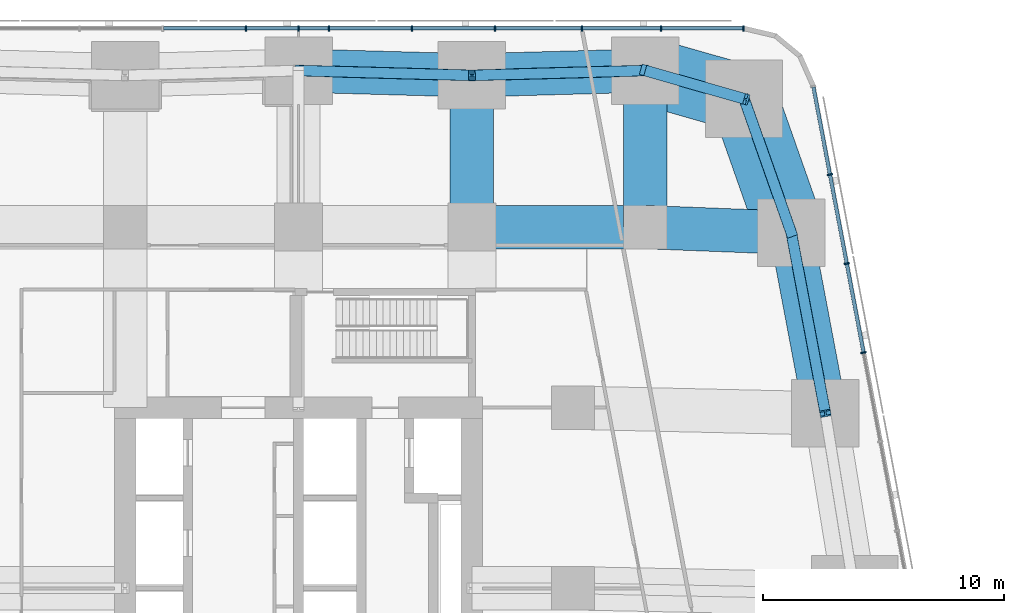
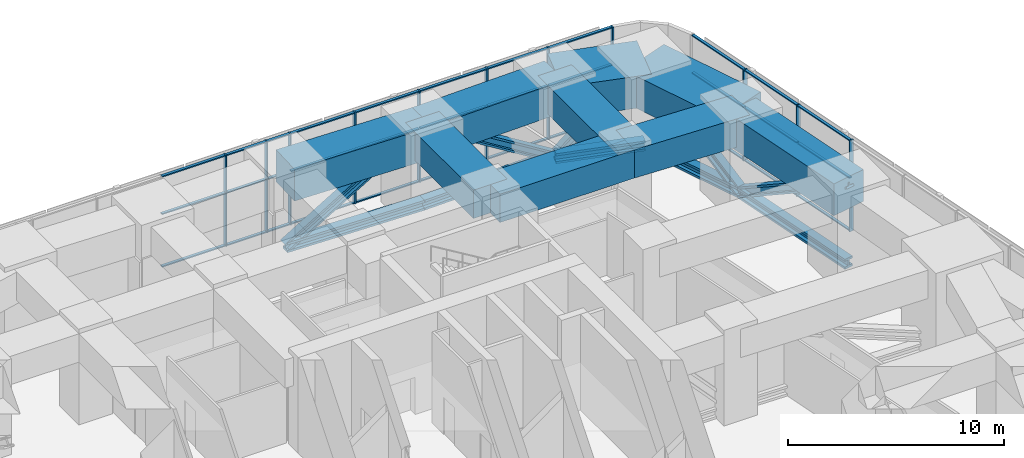
# One storey, part 8 of 20: 54 members, 9 beams, 2 elements without a shape of their own.
"""IFC4 building model written with IfcOpenShell, lengths in metres."""

from ifc_helpers import new_model, si_unit, direction, frame, origin, origin_2d, place, context, subcontext, project, spatial, rectangle, i_section, extrude, material, material_profile, profile_set, type_object, element, aggregate, save


model = new_model("IFC4")

# Units and contexts
model_context = context("Model", 3, precision=1e-05, world=origin(), true_north=direction((0.0, 1.0)))
body_context = subcontext(model_context, "Body", "Model", "MODEL_VIEW")
ifc_project = project(units=[si_unit("LENGTHUNIT", "METRE"), si_unit("AREAUNIT", "SQUARE_METRE"), si_unit("VOLUMEUNIT", "CUBIC_METRE"), si_unit("PLANEANGLEUNIT", "RADIAN"), si_unit("MASSUNIT", "GRAM", prefix="KILO")], contexts=[model_context])

# Site, building, storey
site_placement = place(None, origin())
site = spatial("IfcSite", under=ifc_project, at=site_placement, CompositionType="ELEMENT")
building_placement = place(site_placement, origin())
building = spatial("IfcBuilding", under=site, at=building_placement, Name="Sheger Commons Tower", CompositionType="ELEMENT")
storey_placement = place(building_placement, frame((0.0, 0.0, 72.5)))
storey = spatial("IfcBuildingStorey", under=building, at=storey_placement, Name="L18", CompositionType="ELEMENT", Elevation=72.5)

# Beams
ifc_material_1 = material(Name="Concrete C50/60", Category="concrete")
ifc_material_profile_1 = material_profile(ifc_material_1, rectangle(XDim=1.800048828125, YDim=1.60009765625, at=origin_2d()), Name="RC 1800x1600")
ifc_profile_set_1 = profile_set([ifc_material_profile_1], Name="Concrete C50/60")
beam_type_1 = type_object("IfcBeamType", Name="BEAM RC 1800x1600", PredefinedType="BEAM", material=ifc_profile_set_1)
beam_1_placement = place(storey_placement, frame((28.800048828125, 37.5, 4.35009765625), z_axis=(1.0, 0.0, 0.0), x_axis=(0.0, 1.0, 0.0)))
element("IfcBeam", 1, at=beam_1_placement, inside=storey, type_object=beam_type_1, Name="Beam 5/F-6/F under L19", PredefinedType="BEAM", context=body_context, shape_type="SweptSolid", body=[
    extrude(rectangle(XDim=1.800048828125, YDim=1.60009765625, at=origin_2d()), origin(), (0.0, 0.0, 1.0), 7.199951171875),
])
beam_2_placement = place(storey_placement, frame((36.0, 37.5, 4.35009765625), z_axis=(0.99923673074, -0.039063486011, 0.0), x_axis=(0.039063486011, 0.99923673074, 0.0)))
element("IfcBeam", 2, at=beam_2_placement, inside=storey, type_object=beam_type_1, Name="Beam 6/F-E/F under L19", PredefinedType="BEAM", context=body_context, shape_type="SweptSolid", body=[
    extrude(rectangle(XDim=1.800048828125, YDim=1.60009765625, at=origin_2d()), origin(), (0.0, 0.0, 1.0), 6.068603515625),
])
beam_3_placement = place(storey_placement, frame((28.800048828125, 37.5, 4.35009765625), z_axis=(0.0, 1.0, 0.0), x_axis=(-1.0, 0.0, 0.0)))
element("IfcBeam", 3, at=beam_3_placement, inside=storey, type_object=beam_type_1, Name="Beam 5/F-5/G under L19", PredefinedType="BEAM", context=body_context, shape_type="SweptSolid", body=[
    extrude(rectangle(XDim=1.800048828125, YDim=1.60009765625, at=origin_2d()), origin(), (0.0, 0.0, 1.0), 6.300048828125),
])
beam_4_placement = place(storey_placement, frame((36.0, 37.5, 4.35009765625), z_axis=(0.0, 1.0, 0.0), x_axis=(-1.0, 0.0, 0.0)))
element("IfcBeam", 4, at=beam_4_placement, inside=storey, type_object=beam_type_1, Name="Beam 6/F-6/G under L19", PredefinedType="BEAM", context=body_context, shape_type="SweptSolid", body=[
    extrude(rectangle(XDim=1.800048828125, YDim=1.60009765625, at=origin_2d()), origin(), (0.0, 0.0, 1.0), 6.5),
])

# Members
ifc_material_2 = material(Name="Steel S460", Category="steel")
ifc_material_profile_2 = material_profile(ifc_material_2, i_section(OverallWidth=0.44189453125, OverallDepth=0.531005859375, WebThickness=0.06591796875, FlangeThickness=0.10595703125, at=origin_2d()), Name="HD 400x900")
ifc_profile_set_2 = profile_set([ifc_material_profile_2], Name="Steel S460")
member_type_1 = type_object("IfcMemberType", Name="BRACE HD 400x900", PredefinedType="BRACE", material=ifc_profile_set_2)
member_1_placement = place(storey_placement, frame((42.06396484375, 37.262939453125, 0.300048828125), z_axis=(0.159356525965, -0.844040082352, 0.512056478346), x_axis=(0.982639655108, 0.18552441405, 0.0)))
element("IfcMember", 5, at=member_1_placement, inside=storey, type_object=member_type_1, Name="Belt truss diagonal 43.480,29.763-42.064,37.263", PredefinedType="BRACE", context=body_context, shape_type="SweptSolid", body=[
    extrude(i_section(OverallWidth=0.44189453125, OverallDepth=0.531005859375, WebThickness=0.06591796875, FlangeThickness=0.10595703125, at=origin_2d()), origin(), (0.0, 0.0, 1.0), 8.8857421875),
])
member_2_placement = place(storey_placement, frame((42.06396484375, 37.262939453125, 0.300048828125), z_axis=(-0.263243202566, 0.746980431571, 0.610510647862), x_axis=(-0.943147526102, -0.332374403357, 0.0)))
element("IfcMember", 6, at=member_2_placement, inside=storey, type_object=member_type_1, Name="Belt truss diagonal 42.064,37.263-40.102,42.830", PredefinedType="BRACE", context=body_context, shape_type="SweptSolid", body=[
    extrude(i_section(OverallWidth=0.44189453125, OverallDepth=0.531005859375, WebThickness=0.06591796875, FlangeThickness=0.10595703125, at=origin_2d()), origin(), (0.0, 0.0, 1.0), 7.452880859375),
])
member_3_placement = place(storey_placement, frame((36.0, 44.0, 0.300048828125), z_axis=(0.657710393497, -0.187581728701, 0.729541042947), x_axis=(0.274267541221, 0.961653428129, 0.0)))
element("IfcMember", 7, at=member_3_placement, inside=storey, type_object=member_type_1, Name="Belt truss diagonal 40.102,42.830-36.000,44.000", PredefinedType="BRACE", context=body_context, shape_type="SweptSolid", body=[
    extrude(i_section(OverallWidth=0.44189453125, OverallDepth=0.531005859375, WebThickness=0.06591796875, FlangeThickness=0.10595703125, at=origin_2d()), origin(), (0.0, 0.0, 1.0), 6.23681640625),
])
for number, where, z_axis, x_axis, name in (
    (8, (36.0, 44.0, 0.300048828125), (-0.845112299674, -0.023469769538, 0.534073375912), (0.027760481514, -0.999614603568, 0.0), "Belt truss diagonal 36.000,44.000-28.800,43.800"),
    (9, (21.60009765625, 44.0, 0.300048828125), (0.845112299674, -0.023469769538, 0.534073375912), (0.027760481514, 0.999614603568, 0.0), "Belt truss diagonal 28.800,43.800-21.600,44.000"),
):
    element("IfcMember", number, at=place(storey_placement, frame(where, z_axis=z_axis, x_axis=x_axis)), inside=storey, type_object=member_type_1, Name=name, PredefinedType="BRACE", context=body_context, shape_type="SweptSolid", body=[
        extrude(i_section(OverallWidth=0.44189453125, OverallDepth=0.531005859375, WebThickness=0.06591796875, FlangeThickness=0.10595703125, at=origin_2d()), origin(), (0.0, 0.0, 1.0), 8.51953125),
    ])
ifc_material_3 = material(Name="Steel S460", Category="steel")
ifc_material_profile_3 = material_profile(ifc_material_3, i_section(OverallWidth=0.4541015625, OverallDepth=0.569091796875, WebThickness=0.077880859375, FlangeThickness=0.125, at=origin_2d()), Name="HD 400x1086")
ifc_profile_set_3 = profile_set([ifc_material_profile_3], Name="Steel S460")
member_type_2 = type_object("IfcMemberType", Name="CHORD HD 400x1086", PredefinedType="CHORD", material=ifc_profile_set_3)
member_4_placement = place(storey_placement, frame((43.47998046875, 29.762939453125, 0.300048828125), z_axis=(-0.18552441405, 0.982639655108, 0.0), x_axis=(-0.982639655108, -0.18552441405, 0.0)))
element("IfcMember", 10, at=member_4_placement, inside=storey, type_object=member_type_2, Name="Belt truss bottom chord 43.480,29.763-42.064,37.263", PredefinedType="CHORD", context=body_context, shape_type="SweptSolid", body=[
    extrude(i_section(OverallWidth=0.4541015625, OverallDepth=0.569091796875, WebThickness=0.077880859375, FlangeThickness=0.125, at=origin_2d()), origin(), (0.0, 0.0, 1.0), 7.632568359375),
])
member_5_placement = place(storey_placement, frame((42.06396484375, 37.262939453125, 0.300048828125), z_axis=(-0.332374403357, 0.943147526102, 0.0), x_axis=(-0.943147526102, -0.332374403357, 0.0)))
element("IfcMember", 11, at=member_5_placement, inside=storey, type_object=member_type_2, Name="Belt truss bottom chord 42.064,37.263-40.102,42.830", PredefinedType="CHORD", context=body_context, shape_type="SweptSolid", body=[
    extrude(i_section(OverallWidth=0.4541015625, OverallDepth=0.569091796875, WebThickness=0.077880859375, FlangeThickness=0.125, at=origin_2d()), origin(), (0.0, 0.0, 1.0), 5.90283203125),
])
member_6_placement = place(storey_placement, frame((40.10205078125, 42.830078125, 0.300048828125), z_axis=(-0.961653428129, 0.274267541221, 0.0), x_axis=(-0.274267541221, -0.961653428129, 0.0)))
element("IfcMember", 12, at=member_6_placement, inside=storey, type_object=member_type_2, Name="Belt truss bottom chord 40.102,42.830-36.000,44.000", PredefinedType="CHORD", context=body_context, shape_type="SweptSolid", body=[
    extrude(i_section(OverallWidth=0.4541015625, OverallDepth=0.569091796875, WebThickness=0.077880859375, FlangeThickness=0.125, at=origin_2d()), origin(), (0.0, 0.0, 1.0), 4.265625),
])
for number, where, z_axis, x_axis, name in (
    (13, (36.0, 44.0, 0.300048828125), (-0.999614603568, -0.027760481514, 0.0), (0.027760481514, -0.999614603568, 0.0), "Belt truss bottom chord 36.000,44.000-28.800,43.800"),
    (14, (28.800048828125, 43.800048828125, 0.300048828125), (-0.999614603568, 0.027760481514, 0.0), (-0.027760481514, -0.999614603568, 0.0), "Belt truss bottom chord 28.800,43.800-21.600,44.000"),
):
    element("IfcMember", number, at=place(storey_placement, frame(where, z_axis=z_axis, x_axis=x_axis)), inside=storey, type_object=member_type_2, Name=name, PredefinedType="CHORD", context=body_context, shape_type="SweptSolid", body=[
        extrude(i_section(OverallWidth=0.4541015625, OverallDepth=0.569091796875, WebThickness=0.077880859375, FlangeThickness=0.125, at=origin_2d()), origin(), (0.0, 0.0, 1.0), 7.20263671875),
    ])

# Curtain wall, members
ifc_material_4 = material(Name="Black aluminium curtain wall, dark tinted glazing", Category="aluminium")
curtain_wall_type = type_object("IfcCurtainWallType", Name="CURTAIN WALL CW3 SKY FLOOR", PredefinedType="USERDEFINED", material=ifc_material_4)
curtain_wall_1_placement = place(storey_placement, origin())
curtain_wall_1 = element("IfcCurtainWall", 15, at=curtain_wall_1_placement, inside=storey, type_object=curtain_wall_type, Name="Curtain Wall Cw3 Sky Floor E1 L18", ObjectType="UNITISED CURTAIN WALL", PredefinedType="USERDEFINED")
ifc_material_5 = material(Name="Black anodised aluminium", Category="aluminium")
ifc_material_profile_4 = material_profile(ifc_material_5, rectangle(XDim=0.22509765625, YDim=0.06494140625, at=origin_2d()), Name="AL 65x225")
ifc_profile_set_4 = profile_set([ifc_material_profile_4], Name="Black anodised aluminium")
member_type_3 = type_object("IfcMemberType", Name="MULLION AL 65x225", PredefinedType="MULLION", material=ifc_profile_set_4)
member_7_placement = place(storey_placement, frame((45.0654296875, 32.2841796875, 0.0), z_axis=(0.0, 0.0, 1.0), x_axis=(-0.982623514181, -0.185609884918, 0.0)))
member_7 = element("IfcMember", 16, at=member_7_placement, type_object=member_type_3, Name="CW3 mullion 9", PredefinedType="MULLION", context=body_context, shape_type="SweptSolid", body=[
    extrude(rectangle(XDim=0.22509765625, YDim=0.06494140625, at=origin_2d()), origin(), (0.0, 0.0, 1.0), 5.14990234375),
])
member_8_placement = place(storey_placement, frame((44.366943359375, 35.981689453125, 0.0), z_axis=(0.0, 0.0, 1.0), x_axis=(-0.982623514181, -0.185609884918, 0.0)))
member_8 = element("IfcMember", 17, at=member_8_placement, type_object=member_type_3, Name="CW3 mullion 10", PredefinedType="MULLION", context=body_context, shape_type="SweptSolid", body=[
    extrude(rectangle(XDim=0.22509765625, YDim=0.06494140625, at=origin_2d()), origin(), (0.0, 0.0, 1.0), 5.14990234375),
])
member_9_placement = place(storey_placement, frame((43.66845703125, 39.679443359375, 0.0), z_axis=(0.0, 0.0, 1.0), x_axis=(-0.982623514181, -0.185609884918, 0.0)))
member_9 = element("IfcMember", 18, at=member_9_placement, type_object=member_type_3, Name="CW3 mullion 11", PredefinedType="MULLION", context=body_context, shape_type="SweptSolid", body=[
    extrude(rectangle(XDim=0.22509765625, YDim=0.06494140625, at=origin_2d()), origin(), (0.0, 0.0, 1.0), 5.14990234375),
])

curtain_wall_2_placement = place(storey_placement, origin())
curtain_wall_2 = element("IfcCurtainWall", 19, at=curtain_wall_2_placement, inside=storey, type_object=curtain_wall_type, Name="Curtain Wall Cw3 Sky Floor N1 L18", ObjectType="UNITISED CURTAIN WALL", PredefinedType="USERDEFINED")
member_10_placement = place(storey_placement, frame((40.073486328125, 45.75, 0.0), z_axis=(0.0, 0.0, 1.0), x_axis=(0.0, -1.0, 0.0)))
member_10 = element("IfcMember", 20, at=member_10_placement, type_object=member_type_3, Name="CW3 mullion 1", PredefinedType="MULLION", context=body_context, shape_type="SweptSolid", body=[
    extrude(rectangle(XDim=0.22509765625, YDim=0.06494140625, at=origin_2d()), origin(), (0.0, 0.0, 1.0), 5.14990234375),
])
member_11_placement = place(storey_placement, frame((36.656982421875, 45.75, 0.0), z_axis=(0.0, 0.0, 1.0), x_axis=(0.0, -1.0, 0.0)))
member_11 = element("IfcMember", 21, at=member_11_placement, type_object=member_type_3, Name="CW3 mullion 2", PredefinedType="MULLION", context=body_context, shape_type="SweptSolid", body=[
    extrude(rectangle(XDim=0.22509765625, YDim=0.06494140625, at=origin_2d()), origin(), (0.0, 0.0, 1.0), 5.14990234375),
])
member_12_placement = place(storey_placement, frame((33.363037109375, 45.75, 0.0), z_axis=(0.0, 0.0, 1.0), x_axis=(0.0, -1.0, 0.0)))
member_12 = element("IfcMember", 22, at=member_12_placement, type_object=member_type_3, Name="CW3 mullion 3", PredefinedType="MULLION", context=body_context, shape_type="SweptSolid", body=[
    extrude(rectangle(XDim=0.22509765625, YDim=0.06494140625, at=origin_2d()), origin(), (0.0, 0.0, 1.0), 5.14990234375),
])
member_13_placement = place(storey_placement, frame((29.758056640625, 45.75, 0.0), z_axis=(0.0, 0.0, 1.0), x_axis=(0.0, -1.0, 0.0)))
member_13 = element("IfcMember", 23, at=member_13_placement, type_object=member_type_3, Name="CW3 mullion 4", PredefinedType="MULLION", context=body_context, shape_type="SweptSolid", body=[
    extrude(rectangle(XDim=0.22509765625, YDim=0.06494140625, at=origin_2d()), origin(), (0.0, 0.0, 1.0), 5.14990234375),
])
member_14_placement = place(storey_placement, frame((26.30908203125, 45.75, 0.0), z_axis=(0.0, 0.0, 1.0), x_axis=(0.0, -1.0, 0.0)))
member_14 = element("IfcMember", 24, at=member_14_placement, type_object=member_type_3, Name="CW3 mullion 5", PredefinedType="MULLION", context=body_context, shape_type="SweptSolid", body=[
    extrude(rectangle(XDim=0.22509765625, YDim=0.06494140625, at=origin_2d()), origin(), (0.0, 0.0, 1.0), 5.14990234375),
])
member_15_placement = place(storey_placement, frame((22.85888671875, 45.75, 0.0), z_axis=(0.0, 0.0, 1.0), x_axis=(0.0, -1.0, 0.0)))
member_15 = element("IfcMember", 25, at=member_15_placement, type_object=member_type_3, Name="CW3 mullion 6", PredefinedType="MULLION", context=body_context, shape_type="SweptSolid", body=[
    extrude(rectangle(XDim=0.22509765625, YDim=0.06494140625, at=origin_2d()), origin(), (0.0, 0.0, 1.0), 5.14990234375),
])
member_16_placement = place(storey_placement, frame((21.60009765625, 45.75, 0.0), z_axis=(0.0, 0.0, 1.0), x_axis=(0.0, -1.0, 0.0)))
member_16 = element("IfcMember", 26, at=member_16_placement, type_object=member_type_3, Name="CW3 mullion 7", PredefinedType="MULLION", context=body_context, shape_type="SweptSolid", body=[
    extrude(rectangle(XDim=0.22509765625, YDim=0.06494140625, at=origin_2d()), origin(), (0.0, 0.0, 1.0), 5.14990234375),
])
member_17_placement = place(storey_placement, frame((19.409912109375, 45.75, 0.0), z_axis=(0.0, 0.0, 1.0), x_axis=(0.0, -1.0, 0.0)))
member_17 = element("IfcMember", 27, at=member_17_placement, type_object=member_type_3, Name="CW3 mullion 8", PredefinedType="MULLION", context=body_context, shape_type="SweptSolid", body=[
    extrude(rectangle(XDim=0.22509765625, YDim=0.06494140625, at=origin_2d()), origin(), (0.0, 0.0, 1.0), 5.14990234375),
])

# Beams
ifc_material_6 = material(Name="Concrete C50/60", Category="concrete")
ifc_material_profile_5 = material_profile(ifc_material_6, rectangle(XDim=1.800048828125, YDim=1.800048828125, at=origin_2d()), Name="RC 1800x1800")
ifc_profile_set_5 = profile_set([ifc_material_profile_5], Name="Concrete C50/60")
beam_type_2 = type_object("IfcBeamType", Name="SPANDREL RC 1800x1800", PredefinedType="SPANDREL", material=ifc_profile_set_5)
beam_5_placement = place(storey_placement, frame((43.47998046875, 29.762939453125, 4.25), z_axis=(-0.18552441405, 0.982639655108, 0.0), x_axis=(-0.982639655108, -0.18552441405, 0.0)))
element("IfcBeam", 28, at=beam_5_placement, inside=storey, type_object=beam_type_2, Name="Beam E/E-E/F under L19", PredefinedType="SPANDREL", context=body_context, shape_type="SweptSolid", body=[
    extrude(rectangle(XDim=1.800048828125, YDim=1.800048828125, at=origin_2d()), origin(), (0.0, 0.0, 1.0), 7.632568359375),
])
for number, where, z_axis, x_axis, name in (
    (29, (36.0, 44.0, 4.25), (-0.999614603568, -0.027760481514, 0.0), (0.027760481514, -0.999614603568, 0.0), "Beam 6/G-5/G under L19"),
    (30, (28.800048828125, 43.800048828125, 4.25), (-0.999614603568, 0.027760481514, 0.0), (-0.027760481514, -0.999614603568, 0.0), "Beam 5/G-4/G under L19"),
):
    element("IfcBeam", number, at=place(storey_placement, frame(where, z_axis=z_axis, x_axis=x_axis)), inside=storey, type_object=beam_type_2, Name=name, PredefinedType="SPANDREL", context=body_context, shape_type="SweptSolid", body=[
        extrude(rectangle(XDim=1.800048828125, YDim=1.800048828125, at=origin_2d()), origin(), (0.0, 0.0, 1.0), 7.20263671875),
    ])
ifc_material_7 = material(Name="Concrete C50/60", Category="concrete")
ifc_material_profile_6 = material_profile(ifc_material_7, rectangle(XDim=2.800048828125, YDim=1.800048828125, at=origin_2d()), Name="RC 2800x1800")
ifc_profile_set_6 = profile_set([ifc_material_profile_6], Name="Concrete C50/60")
beam_type_3 = type_object("IfcBeamType", Name="SPANDREL RC 2800x1800", PredefinedType="SPANDREL", material=ifc_profile_set_6)
beam_6_placement = place(storey_placement, frame((42.06396484375, 37.262939453125, 4.25), z_axis=(-0.332374403357, 0.943147526102, 0.0), x_axis=(-0.943147526102, -0.332374403357, 0.0)))
element("IfcBeam", 31, at=beam_6_placement, inside=storey, type_object=beam_type_3, Name="Beam E/F-41.490,44.505 under L19", PredefinedType="SPANDREL", context=body_context, shape_type="SweptSolid", body=[
    extrude(rectangle(XDim=2.800048828125, YDim=1.800048828125, at=origin_2d()), origin(), (0.0, 0.0, 1.0), 5.90283203125),
])
beam_7_placement = place(storey_placement, frame((40.10205078125, 42.830078125, 4.25), z_axis=(-0.961653428129, 0.274267541221, 0.0), x_axis=(-0.274267541221, -0.961653428129, 0.0)))
element("IfcBeam", 32, at=beam_7_placement, inside=storey, type_object=beam_type_3, Name="Beam 41.490,44.505-6/G under L19", PredefinedType="SPANDREL", context=body_context, shape_type="SweptSolid", body=[
    extrude(rectangle(XDim=2.800048828125, YDim=1.800048828125, at=origin_2d()), origin(), (0.0, 0.0, 1.0), 4.265625),
])

# Member
ifc_material_8 = material(Name="Black anodised aluminium", Category="aluminium")
ifc_material_profile_7 = material_profile(ifc_material_8, rectangle(XDim=0.14990234375, YDim=0.06494140625, at=origin_2d()), Name="AL 65x150")
ifc_profile_set_7 = profile_set([ifc_material_profile_7], Name="Black anodised aluminium")
member_type_4 = type_object("IfcMemberType", Name="TRANSOM AL 65x150", PredefinedType="USERDEFINED", material=ifc_profile_set_7)
member_18_placement = place(storey_placement, frame((45.059326171875, 32.31591796875, 0.032470703125), z_axis=(-0.185579860214, 0.982629185137, 0.0), x_axis=(-0.982629185137, -0.185579860214, 0.0)))
member_18 = element("IfcMember", 33, at=member_18_placement, type_object=member_type_4, Name="CW3 transom 9.1", ObjectType="TRANSOM", PredefinedType="USERDEFINED", context=body_context, shape_type="SweptSolid", body=[
    extrude(rectangle(XDim=0.14990234375, YDim=0.06494140625, at=origin_2d()), origin(), (0.0, 0.0, 1.0), 3.697998046875),
])

member_19_placement = place(storey_placement, frame((45.059326171875, 32.31591796875, 3.0), z_axis=(-0.185579860214, 0.982629185137, 0.0), x_axis=(-0.982629185137, -0.185579860214, 0.0)))
member_19 = element("IfcMember", 34, at=member_19_placement, type_object=member_type_4, Name="CW3 transom 9.2", ObjectType="TRANSOM", PredefinedType="USERDEFINED", context=body_context, shape_type="SweptSolid", body=[
    extrude(rectangle(XDim=0.14990234375, YDim=0.06494140625, at=origin_2d()), origin(), (0.0, 0.0, 1.0), 3.697998046875),
])

member_20_placement = place(storey_placement, frame((45.059326171875, 32.31591796875, 5.117431640625), z_axis=(-0.185579860214, 0.982629185137, 0.0), x_axis=(-0.982629185137, -0.185579860214, 0.0)))
member_20 = element("IfcMember", 35, at=member_20_placement, type_object=member_type_4, Name="CW3 transom 9.3", ObjectType="TRANSOM", PredefinedType="USERDEFINED", context=body_context, shape_type="SweptSolid", body=[
    extrude(rectangle(XDim=0.14990234375, YDim=0.06494140625, at=origin_2d()), origin(), (0.0, 0.0, 1.0), 3.697998046875),
])

member_21_placement = place(storey_placement, frame((44.36083984375, 36.013671875, 0.032470703125), z_axis=(-0.185579860214, 0.982629185137, 0.0), x_axis=(-0.982629185137, -0.185579860214, 0.0)))
member_21 = element("IfcMember", 36, at=member_21_placement, type_object=member_type_4, Name="CW3 transom 10.1", ObjectType="TRANSOM", PredefinedType="USERDEFINED", context=body_context, shape_type="SweptSolid", body=[
    extrude(rectangle(XDim=0.14990234375, YDim=0.06494140625, at=origin_2d()), origin(), (0.0, 0.0, 1.0), 3.697998046875),
])

member_22_placement = place(storey_placement, frame((44.36083984375, 36.013671875, 3.0), z_axis=(-0.185579860214, 0.982629185137, 0.0), x_axis=(-0.982629185137, -0.185579860214, 0.0)))
member_22 = element("IfcMember", 37, at=member_22_placement, type_object=member_type_4, Name="CW3 transom 10.2", ObjectType="TRANSOM", PredefinedType="USERDEFINED", context=body_context, shape_type="SweptSolid", body=[
    extrude(rectangle(XDim=0.14990234375, YDim=0.06494140625, at=origin_2d()), origin(), (0.0, 0.0, 1.0), 3.697998046875),
])

member_23_placement = place(storey_placement, frame((44.36083984375, 36.013671875, 5.117431640625), z_axis=(-0.185579860214, 0.982629185137, 0.0), x_axis=(-0.982629185137, -0.185579860214, 0.0)))
member_23 = element("IfcMember", 38, at=member_23_placement, type_object=member_type_4, Name="CW3 transom 10.3", ObjectType="TRANSOM", PredefinedType="USERDEFINED", context=body_context, shape_type="SweptSolid", body=[
    extrude(rectangle(XDim=0.14990234375, YDim=0.06494140625, at=origin_2d()), origin(), (0.0, 0.0, 1.0), 3.697998046875),
])

member_24_placement = place(storey_placement, frame((43.662353515625, 39.711181640625, 0.032470703125), z_axis=(-0.185551041872, 0.982634627346, 0.0), x_axis=(-0.982634627346, -0.185551041872, 0.0)))
member_24 = element("IfcMember", 39, at=member_24_placement, type_object=member_type_4, Name="CW3 transom 11.1", ObjectType="TRANSOM", PredefinedType="USERDEFINED", context=body_context, shape_type="SweptSolid", body=[
    extrude(rectangle(XDim=0.14990234375, YDim=0.06494140625, at=origin_2d()), origin(), (0.0, 0.0, 1.0), 3.665771484375),
])

member_25_placement = place(storey_placement, frame((43.662353515625, 39.711181640625, 3.0), z_axis=(-0.185551041872, 0.982634627346, 0.0), x_axis=(-0.982634627346, -0.185551041872, 0.0)))
member_25 = element("IfcMember", 40, at=member_25_placement, type_object=member_type_4, Name="CW3 transom 11.2", ObjectType="TRANSOM", PredefinedType="USERDEFINED", context=body_context, shape_type="SweptSolid", body=[
    extrude(rectangle(XDim=0.14990234375, YDim=0.06494140625, at=origin_2d()), origin(), (0.0, 0.0, 1.0), 3.665771484375),
])

member_26_placement = place(storey_placement, frame((43.662353515625, 39.711181640625, 5.117431640625), z_axis=(-0.185551041872, 0.982634627346, 0.0), x_axis=(-0.982634627346, -0.185551041872, 0.0)))
member_26 = element("IfcMember", 41, at=member_26_placement, type_object=member_type_4, Name="CW3 transom 11.3", ObjectType="TRANSOM", PredefinedType="USERDEFINED", context=body_context, shape_type="SweptSolid", body=[
    extrude(rectangle(XDim=0.14990234375, YDim=0.06494140625, at=origin_2d()), origin(), (0.0, 0.0, 1.0), 3.665771484375),
])

aggregate(curtain_wall_1, [member_7, member_8, member_9, member_18, member_19, member_20, member_21, member_22, member_23, member_24, member_25, member_26])

member_27_placement = place(storey_placement, frame((40.041015625, 45.75, 0.032470703125), z_axis=(-1.0, 0.0, 0.0), x_axis=(0.0, -1.0, 0.0)))
member_27 = element("IfcMember", 42, at=member_27_placement, type_object=member_type_4, Name="CW3 transom 1.1", ObjectType="TRANSOM", PredefinedType="USERDEFINED", context=body_context, shape_type="SweptSolid", body=[
    extrude(rectangle(XDim=0.14990234375, YDim=0.06494140625, at=origin_2d()), origin(), (0.0, 0.0, 1.0), 3.3515625),
])

member_28_placement = place(storey_placement, frame((40.041015625, 45.75, 3.0), z_axis=(-1.0, 0.0, 0.0), x_axis=(0.0, -1.0, 0.0)))
member_28 = element("IfcMember", 43, at=member_28_placement, type_object=member_type_4, Name="CW3 transom 1.2", ObjectType="TRANSOM", PredefinedType="USERDEFINED", context=body_context, shape_type="SweptSolid", body=[
    extrude(rectangle(XDim=0.14990234375, YDim=0.06494140625, at=origin_2d()), origin(), (0.0, 0.0, 1.0), 3.3515625),
])

member_29_placement = place(storey_placement, frame((40.041015625, 45.75, 5.117431640625), z_axis=(-1.0, 0.0, 0.0), x_axis=(0.0, -1.0, 0.0)))
member_29 = element("IfcMember", 44, at=member_29_placement, type_object=member_type_4, Name="CW3 transom 1.3", ObjectType="TRANSOM", PredefinedType="USERDEFINED", context=body_context, shape_type="SweptSolid", body=[
    extrude(rectangle(XDim=0.14990234375, YDim=0.06494140625, at=origin_2d()), origin(), (0.0, 0.0, 1.0), 3.3515625),
])

member_30_placement = place(storey_placement, frame((36.62451171875, 45.75, 0.032470703125), z_axis=(-1.0, 0.0, 0.0), x_axis=(0.0, -1.0, 0.0)))
member_30 = element("IfcMember", 45, at=member_30_placement, type_object=member_type_4, Name="CW3 transom 2.1", ObjectType="TRANSOM", PredefinedType="USERDEFINED", context=body_context, shape_type="SweptSolid", body=[
    extrude(rectangle(XDim=0.14990234375, YDim=0.06494140625, at=origin_2d()), origin(), (0.0, 0.0, 1.0), 3.22900390625),
])

member_31_placement = place(storey_placement, frame((36.62451171875, 45.75, 3.0), z_axis=(-1.0, 0.0, 0.0), x_axis=(0.0, -1.0, 0.0)))
member_31 = element("IfcMember", 46, at=member_31_placement, type_object=member_type_4, Name="CW3 transom 2.2", ObjectType="TRANSOM", PredefinedType="USERDEFINED", context=body_context, shape_type="SweptSolid", body=[
    extrude(rectangle(XDim=0.14990234375, YDim=0.06494140625, at=origin_2d()), origin(), (0.0, 0.0, 1.0), 3.22900390625),
])

member_32_placement = place(storey_placement, frame((36.62451171875, 45.75, 5.117431640625), z_axis=(-1.0, 0.0, 0.0), x_axis=(0.0, -1.0, 0.0)))
member_32 = element("IfcMember", 47, at=member_32_placement, type_object=member_type_4, Name="CW3 transom 2.3", ObjectType="TRANSOM", PredefinedType="USERDEFINED", context=body_context, shape_type="SweptSolid", body=[
    extrude(rectangle(XDim=0.14990234375, YDim=0.06494140625, at=origin_2d()), origin(), (0.0, 0.0, 1.0), 3.22900390625),
])

member_33_placement = place(storey_placement, frame((33.33056640625, 45.75, 0.032470703125), z_axis=(-1.0, 0.0, 0.0), x_axis=(0.0, -1.0, 0.0)))
member_33 = element("IfcMember", 48, at=member_33_placement, type_object=member_type_4, Name="CW3 transom 3.1", ObjectType="TRANSOM", PredefinedType="USERDEFINED", context=body_context, shape_type="SweptSolid", body=[
    extrude(rectangle(XDim=0.14990234375, YDim=0.06494140625, at=origin_2d()), origin(), (0.0, 0.0, 1.0), 3.5400390625),
])

member_34_placement = place(storey_placement, frame((33.33056640625, 45.75, 3.0), z_axis=(-1.0, 0.0, 0.0), x_axis=(0.0, -1.0, 0.0)))
member_34 = element("IfcMember", 49, at=member_34_placement, type_object=member_type_4, Name="CW3 transom 3.2", ObjectType="TRANSOM", PredefinedType="USERDEFINED", context=body_context, shape_type="SweptSolid", body=[
    extrude(rectangle(XDim=0.14990234375, YDim=0.06494140625, at=origin_2d()), origin(), (0.0, 0.0, 1.0), 3.5400390625),
])

member_35_placement = place(storey_placement, frame((33.33056640625, 45.75, 5.117431640625), z_axis=(-1.0, 0.0, 0.0), x_axis=(0.0, -1.0, 0.0)))
member_35 = element("IfcMember", 50, at=member_35_placement, type_object=member_type_4, Name="CW3 transom 3.3", ObjectType="TRANSOM", PredefinedType="USERDEFINED", context=body_context, shape_type="SweptSolid", body=[
    extrude(rectangle(XDim=0.14990234375, YDim=0.06494140625, at=origin_2d()), origin(), (0.0, 0.0, 1.0), 3.5400390625),
])

member_36_placement = place(storey_placement, frame((29.7255859375, 45.75, 0.032470703125), z_axis=(-1.0, 0.0, 0.0), x_axis=(0.0, -1.0, 0.0)))
member_36 = element("IfcMember", 51, at=member_36_placement, type_object=member_type_4, Name="CW3 transom 4.1", ObjectType="TRANSOM", PredefinedType="USERDEFINED", context=body_context, shape_type="SweptSolid", body=[
    extrude(rectangle(XDim=0.14990234375, YDim=0.06494140625, at=origin_2d()), origin(), (0.0, 0.0, 1.0), 3.384033203125),
])

member_37_placement = place(storey_placement, frame((29.7255859375, 45.75, 3.0), z_axis=(-1.0, 0.0, 0.0), x_axis=(0.0, -1.0, 0.0)))
member_37 = element("IfcMember", 52, at=member_37_placement, type_object=member_type_4, Name="CW3 transom 4.2", ObjectType="TRANSOM", PredefinedType="USERDEFINED", context=body_context, shape_type="SweptSolid", body=[
    extrude(rectangle(XDim=0.14990234375, YDim=0.06494140625, at=origin_2d()), origin(), (0.0, 0.0, 1.0), 3.384033203125),
])

member_38_placement = place(storey_placement, frame((29.7255859375, 45.75, 5.117431640625), z_axis=(-1.0, 0.0, 0.0), x_axis=(0.0, -1.0, 0.0)))
member_38 = element("IfcMember", 53, at=member_38_placement, type_object=member_type_4, Name="CW3 transom 4.3", ObjectType="TRANSOM", PredefinedType="USERDEFINED", context=body_context, shape_type="SweptSolid", body=[
    extrude(rectangle(XDim=0.14990234375, YDim=0.06494140625, at=origin_2d()), origin(), (0.0, 0.0, 1.0), 3.384033203125),
])

member_39_placement = place(storey_placement, frame((26.276611328125, 45.75, 0.032470703125), z_axis=(-1.0, 0.0, 0.0), x_axis=(0.0, -1.0, 0.0)))
member_39 = element("IfcMember", 54, at=member_39_placement, type_object=member_type_4, Name="CW3 transom 5.1", ObjectType="TRANSOM", PredefinedType="USERDEFINED", context=body_context, shape_type="SweptSolid", body=[
    extrude(rectangle(XDim=0.14990234375, YDim=0.06494140625, at=origin_2d()), origin(), (0.0, 0.0, 1.0), 3.385009765625),
])

member_40_placement = place(storey_placement, frame((26.276611328125, 45.75, 3.0), z_axis=(-1.0, 0.0, 0.0), x_axis=(0.0, -1.0, 0.0)))
member_40 = element("IfcMember", 55, at=member_40_placement, type_object=member_type_4, Name="CW3 transom 5.2", ObjectType="TRANSOM", PredefinedType="USERDEFINED", context=body_context, shape_type="SweptSolid", body=[
    extrude(rectangle(XDim=0.14990234375, YDim=0.06494140625, at=origin_2d()), origin(), (0.0, 0.0, 1.0), 3.385009765625),
])

member_41_placement = place(storey_placement, frame((26.276611328125, 45.75, 5.117431640625), z_axis=(-1.0, 0.0, 0.0), x_axis=(0.0, -1.0, 0.0)))
member_41 = element("IfcMember", 56, at=member_41_placement, type_object=member_type_4, Name="CW3 transom 5.3", ObjectType="TRANSOM", PredefinedType="USERDEFINED", context=body_context, shape_type="SweptSolid", body=[
    extrude(rectangle(XDim=0.14990234375, YDim=0.06494140625, at=origin_2d()), origin(), (0.0, 0.0, 1.0), 3.385009765625),
])

member_42_placement = place(storey_placement, frame((22.826416015625, 45.75, 0.032470703125), z_axis=(-1.0, 0.0, 0.0), x_axis=(0.0, -1.0, 0.0)))
member_42 = element("IfcMember", 57, at=member_42_placement, type_object=member_type_4, Name="CW3 transom 6.1", ObjectType="TRANSOM", PredefinedType="USERDEFINED", context=body_context, shape_type="SweptSolid", body=[
    extrude(rectangle(XDim=0.14990234375, YDim=0.06494140625, at=origin_2d()), origin(), (0.0, 0.0, 1.0), 1.19384765625),
])

member_43_placement = place(storey_placement, frame((22.826416015625, 45.75, 3.0), z_axis=(-1.0, 0.0, 0.0), x_axis=(0.0, -1.0, 0.0)))
member_43 = element("IfcMember", 58, at=member_43_placement, type_object=member_type_4, Name="CW3 transom 6.2", ObjectType="TRANSOM", PredefinedType="USERDEFINED", context=body_context, shape_type="SweptSolid", body=[
    extrude(rectangle(XDim=0.14990234375, YDim=0.06494140625, at=origin_2d()), origin(), (0.0, 0.0, 1.0), 1.19384765625),
])

member_44_placement = place(storey_placement, frame((22.826416015625, 45.75, 5.117431640625), z_axis=(-1.0, 0.0, 0.0), x_axis=(0.0, -1.0, 0.0)))
member_44 = element("IfcMember", 59, at=member_44_placement, type_object=member_type_4, Name="CW3 transom 6.3", ObjectType="TRANSOM", PredefinedType="USERDEFINED", context=body_context, shape_type="SweptSolid", body=[
    extrude(rectangle(XDim=0.14990234375, YDim=0.06494140625, at=origin_2d()), origin(), (0.0, 0.0, 1.0), 1.19384765625),
])

member_45_placement = place(storey_placement, frame((21.5673828125, 45.75, 0.032470703125), z_axis=(-1.0, 0.0, 0.0), x_axis=(0.0, -1.0, 0.0)))
member_45 = element("IfcMember", 60, at=member_45_placement, type_object=member_type_4, Name="CW3 transom 7.1", ObjectType="TRANSOM", PredefinedType="USERDEFINED", context=body_context, shape_type="SweptSolid", body=[
    extrude(rectangle(XDim=0.14990234375, YDim=0.06494140625, at=origin_2d()), origin(), (0.0, 0.0, 1.0), 2.125),
])

member_46_placement = place(storey_placement, frame((21.5673828125, 45.75, 3.0), z_axis=(-1.0, 0.0, 0.0), x_axis=(0.0, -1.0, 0.0)))
member_46 = element("IfcMember", 61, at=member_46_placement, type_object=member_type_4, Name="CW3 transom 7.2", ObjectType="TRANSOM", PredefinedType="USERDEFINED", context=body_context, shape_type="SweptSolid", body=[
    extrude(rectangle(XDim=0.14990234375, YDim=0.06494140625, at=origin_2d()), origin(), (0.0, 0.0, 1.0), 2.125),
])

member_47_placement = place(storey_placement, frame((21.5673828125, 45.75, 5.117431640625), z_axis=(-1.0, 0.0, 0.0), x_axis=(0.0, -1.0, 0.0)))
member_47 = element("IfcMember", 62, at=member_47_placement, type_object=member_type_4, Name="CW3 transom 7.3", ObjectType="TRANSOM", PredefinedType="USERDEFINED", context=body_context, shape_type="SweptSolid", body=[
    extrude(rectangle(XDim=0.14990234375, YDim=0.06494140625, at=origin_2d()), origin(), (0.0, 0.0, 1.0), 2.125),
])

member_48_placement = place(storey_placement, frame((19.37744140625, 45.75, 0.032470703125), z_axis=(-1.0, 0.0, 0.0), x_axis=(0.0, -1.0, 0.0)))
member_48 = element("IfcMember", 63, at=member_48_placement, type_object=member_type_4, Name="CW3 transom 8.1", ObjectType="TRANSOM", PredefinedType="USERDEFINED", context=body_context, shape_type="SweptSolid", body=[
    extrude(rectangle(XDim=0.14990234375, YDim=0.06494140625, at=origin_2d()), origin(), (0.0, 0.0, 1.0), 3.385009765625),
])

member_49_placement = place(storey_placement, frame((19.37744140625, 45.75, 3.0), z_axis=(-1.0, 0.0, 0.0), x_axis=(0.0, -1.0, 0.0)))
member_49 = element("IfcMember", 64, at=member_49_placement, type_object=member_type_4, Name="CW3 transom 8.2", ObjectType="TRANSOM", PredefinedType="USERDEFINED", context=body_context, shape_type="SweptSolid", body=[
    extrude(rectangle(XDim=0.14990234375, YDim=0.06494140625, at=origin_2d()), origin(), (0.0, 0.0, 1.0), 3.385009765625),
])

member_50_placement = place(storey_placement, frame((19.37744140625, 45.75, 5.117431640625), z_axis=(-1.0, 0.0, 0.0), x_axis=(0.0, -1.0, 0.0)))
member_50 = element("IfcMember", 65, at=member_50_placement, type_object=member_type_4, Name="CW3 transom 8.3", ObjectType="TRANSOM", PredefinedType="USERDEFINED", context=body_context, shape_type="SweptSolid", body=[
    extrude(rectangle(XDim=0.14990234375, YDim=0.06494140625, at=origin_2d()), origin(), (0.0, 0.0, 1.0), 3.385009765625),
])

aggregate(curtain_wall_2, [member_10, member_11, member_12, member_13, member_14, member_15, member_16, member_17, member_27, member_28, member_29, member_30, member_31, member_32, member_33, member_34, member_35, member_36, member_37, member_38, member_39, member_40, member_41, member_42, member_43, member_44, member_45, member_46, member_47, member_48, member_49, member_50])

save(model, "model.ifc")
